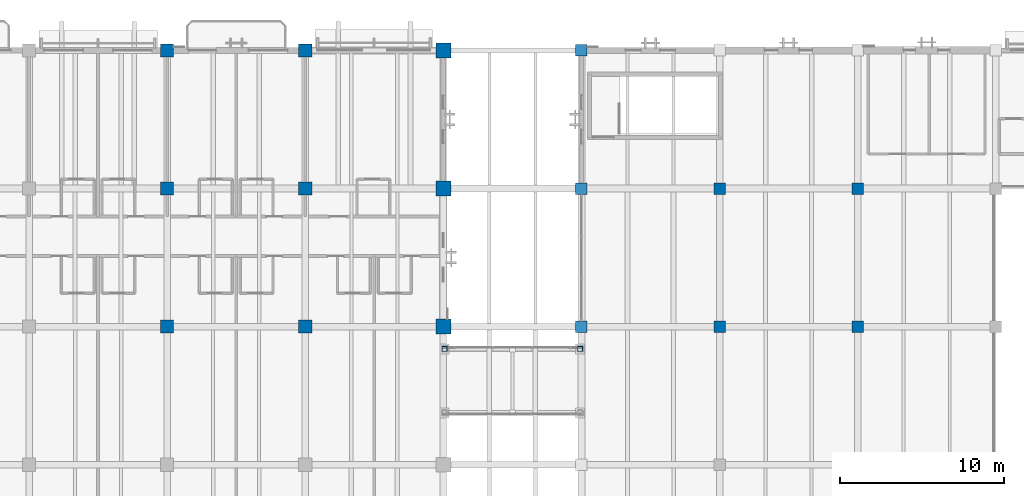
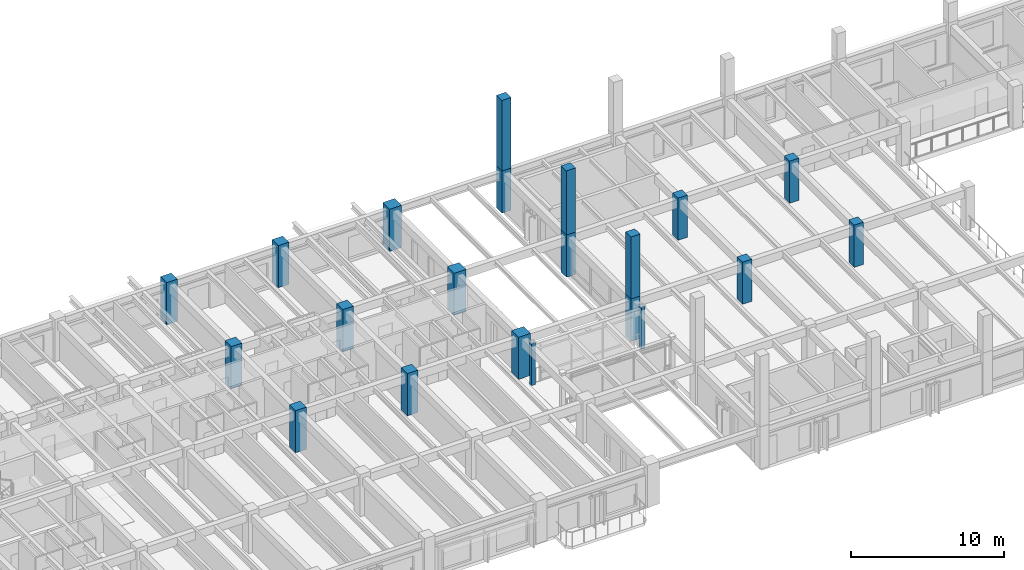
# One storey, part 5 of 123: 21 columns.
"""IFC4 building model written with IfcOpenShell, lengths in metres."""

from ifc_helpers import new_model, si_unit, direction, frame, origin, origin_2d, place, context, subcontext, project, spatial, rectangle, hollow_rectangle, extrude, material, material_profile, profile_set, type_object, element, save


model = new_model("IFC4")

# Units and contexts
model_context = context("Model", 3, precision=1e-05, world=origin(), true_north=direction((0.0, 1.0)))
body_context = subcontext(model_context, "Body", "Model", "MODEL_VIEW")
ifc_project = project(units=[si_unit("LENGTHUNIT", "METRE"), si_unit("AREAUNIT", "SQUARE_METRE"), si_unit("VOLUMEUNIT", "CUBIC_METRE"), si_unit("PLANEANGLEUNIT", "RADIAN"), si_unit("MASSUNIT", "GRAM", prefix="KILO")], contexts=[model_context])

# Site, building, storey
site_placement = place(None, origin())
site = spatial("IfcSite", under=ifc_project, at=site_placement, CompositionType="ELEMENT")
building_placement = place(site_placement, origin())
building = spatial("IfcBuilding", under=site, at=building_placement, Name="Cumbredor Promenade Congress Hotel", CompositionType="ELEMENT")
storey_placement = place(building_placement, frame((0.0, 0.0, 11.760009765625)))
storey = spatial("IfcBuildingStorey", under=building, at=storey_placement, Name="L03", CompositionType="ELEMENT", Elevation=11.760009765625)

# Columns
ifc_material_1 = material(Name="Concrete C40/50", Category="concrete")
ifc_material_profile_1 = material_profile(ifc_material_1, rectangle(XDim=0.699951171875, YDim=0.699951171875, at=origin_2d()), Name="RC 700x700")
ifc_profile_set_1 = profile_set([ifc_material_profile_1], Name="Concrete C40/50")
column_type_1 = type_object("IfcColumnType", Name="COL-RC-700", PredefinedType="COLUMN", material=ifc_profile_set_1)
for number, where, z_axis, x_axis, name in (
    (1, (92.39990234375, 100.800048828125, 0.0), (0.0, 0.0, 1.0), (1.0, 0.0, 0.0), "L03 Structural Column 106"),
    (2, (92.39990234375, 109.199951171875, 0.0), (0.0, 0.0, 1.0), (1.0, 0.0, 0.0), "L03 Structural Column 107"),
    (3, (92.39990234375, 117.60009765625, 0.0), (0.0, 0.0, 1.0), (1.0, 0.0, 0.0), "L03 Structural Column 108"),
    (4, (100.800048828125, 100.800048828125, 0.0), (0.0, 0.0, 1.0), (1.0, 0.0, 0.0), "L03 Structural Column 111"),
    (5, (100.800048828125, 109.199951171875, 0.0), (0.0, 0.0, 1.0), (1.0, 0.0, 0.0), "L03 Structural Column 112"),
    (6, (109.199951171875, 100.800048828125, 0.0), (0.0, 0.0, 1.0), (1.0, 0.0, 0.0), "L03 Structural Column 116"),
    (7, (109.199951171875, 109.199951171875, 0.0), (0.0, 0.0, 1.0), (1.0, 0.0, 0.0), "L03 Structural Column 117"),
):
    element("IfcColumn", number, at=place(storey_placement, frame(where, z_axis=z_axis, x_axis=x_axis)), inside=storey, type_object=column_type_1, Name=name, PredefinedType="COLUMN", context=body_context, shape_type="SweptSolid", body=[
        extrude(rectangle(XDim=0.699951171875, YDim=0.699951171875, at=origin_2d()), origin(), (0.0, 0.0, 1.0), 3.360107421875),
    ])
column_1_placement = place(storey_placement, frame((92.39990234375, 100.800048828125, 3.360107421875), z_axis=(0.0, 0.0, 1.0), x_axis=(1.0, 0.0, 0.0)))
element("IfcColumn", 8, at=column_1_placement, inside=storey, type_object=column_type_1, Name="Pre-Function and Breakout Meeting Forum Clerestory Column Extension 03", PredefinedType="COLUMN", context=body_context, shape_type="SweptSolid", body=[
    extrude(rectangle(XDim=0.699951171875, YDim=0.699951171875, at=origin_2d()), origin(), (0.0, 0.0, 1.0), 4.928955078125),
])
column_2_placement = place(storey_placement, frame((92.39990234375, 109.199951171875, 3.360107421875), z_axis=(0.0, 0.0, 1.0), x_axis=(1.0, 0.0, 0.0)))
element("IfcColumn", 9, at=column_2_placement, inside=storey, type_object=column_type_1, Name="Pre-Function and Breakout Meeting Forum Clerestory Column Extension 04", PredefinedType="COLUMN", context=body_context, shape_type="SweptSolid", body=[
    extrude(rectangle(XDim=0.699951171875, YDim=0.699951171875, at=origin_2d()), origin(), (0.0, 0.0, 1.0), 5.09912109375),
])
column_3_placement = place(storey_placement, frame((92.39990234375, 117.60009765625, 3.360107421875), z_axis=(0.0, 0.0, 1.0), x_axis=(1.0, 0.0, 0.0)))
element("IfcColumn", 10, at=column_3_placement, inside=storey, type_object=column_type_1, Name="Pre-Function and Breakout Meeting Forum Clerestory Column Extension 05", PredefinedType="COLUMN", context=body_context, shape_type="SweptSolid", body=[
    extrude(rectangle(XDim=0.699951171875, YDim=0.699951171875, at=origin_2d()), origin(), (0.0, 0.0, 1.0), 5.609375),
])
ifc_material_2 = material(Name="Concrete C50/60", Category="concrete")
ifc_material_profile_2 = material_profile(ifc_material_2, rectangle(XDim=0.800048828125, YDim=0.800048828125, at=origin_2d()), Name="RC 800x800")
ifc_profile_set_2 = profile_set([ifc_material_profile_2], Name="Concrete C50/60")
column_type_2 = type_object("IfcColumnType", Name="COL-RC-800", PredefinedType="COLUMN", material=ifc_profile_set_2)
for number, where, z_axis, x_axis, name in (
    (11, (67.199951171875, 100.800048828125, 0.0), (0.0, 0.0, 1.0), (1.0, 0.0, 0.0), "L03 Structural Column 091"),
    (12, (67.199951171875, 109.199951171875, 0.0), (0.0, 0.0, 1.0), (1.0, 0.0, 0.0), "L03 Structural Column 092"),
    (13, (67.199951171875, 117.60009765625, 0.0), (0.0, 0.0, 1.0), (1.0, 0.0, 0.0), "L03 Structural Column 093"),
    (14, (75.60009765625, 100.800048828125, 0.0), (0.0, 0.0, 1.0), (1.0, 0.0, 0.0), "L03 Structural Column 096"),
    (15, (75.60009765625, 109.199951171875, 0.0), (0.0, 0.0, 1.0), (1.0, 0.0, 0.0), "L03 Structural Column 097"),
    (16, (75.60009765625, 117.60009765625, 0.0), (0.0, 0.0, 1.0), (1.0, 0.0, 0.0), "L03 Structural Column 098"),
):
    element("IfcColumn", number, at=place(storey_placement, frame(where, z_axis=z_axis, x_axis=x_axis)), inside=storey, type_object=column_type_2, Name=name, PredefinedType="COLUMN", context=body_context, shape_type="SweptSolid", body=[
        extrude(rectangle(XDim=0.800048828125, YDim=0.800048828125, at=origin_2d()), origin(), (0.0, 0.0, 1.0), 3.360107421875),
    ])
ifc_material_profile_3 = material_profile(ifc_material_2, rectangle(XDim=0.89990234375, YDim=0.89990234375, at=origin_2d()), Name="RC 900x900")
ifc_profile_set_3 = profile_set([ifc_material_profile_3], Name="Concrete C50/60")
column_type_3 = type_object("IfcColumnType", Name="COL-RC-900", PredefinedType="COLUMN", material=ifc_profile_set_3)
for number, where, z_axis, x_axis, name in (
    (17, (84.0, 100.800048828125, 0.0), (0.0, 0.0, 1.0), (1.0, 0.0, 0.0), "L03 Structural Column 101"),
    (18, (84.0, 109.199951171875, 0.0), (0.0, 0.0, 1.0), (1.0, 0.0, 0.0), "L03 Structural Column 102"),
    (19, (84.0, 117.60009765625, 0.0), (0.0, 0.0, 1.0), (1.0, 0.0, 0.0), "L03 Structural Column 103"),
):
    element("IfcColumn", number, at=place(storey_placement, frame(where, z_axis=z_axis, x_axis=x_axis)), inside=storey, type_object=column_type_3, Name=name, PredefinedType="COLUMN", context=body_context, shape_type="SweptSolid", body=[
        extrude(rectangle(XDim=0.89990234375, YDim=0.89990234375, at=origin_2d()), origin(), (0.0, 0.0, 1.0), 3.360107421875),
    ])
ifc_material_3 = material(Name="Steel ASTM A500 Grade C", Category="steel")
ifc_material_profile_4 = material_profile(ifc_material_3, hollow_rectangle(XDim=0.300048828125, YDim=0.300048828125, WallThickness=0.01611328125, at=origin_2d()), Name="HSS 300x300x16")
ifc_profile_set_4 = profile_set([ifc_material_profile_4], Name="Steel ASTM A500 Grade C")
column_type_4 = type_object("IfcColumnType", Name="COL-STL-HSS300", PredefinedType="COLUMN", material=ifc_profile_set_4)
for number, where, z_axis, x_axis, name in (
    (20, (84.080078125, 99.449951171875, 0.0), (0.0, 0.0, 1.0), (1.0, 0.0, 0.0), "L03 North Hotel-to-Forum Glazed Bridge Support Column 2"),
    (21, (92.320068359375, 99.449951171875, 0.0), (0.0, 0.0, 1.0), (1.0, 0.0, 0.0), "L03 North Hotel-to-Forum Glazed Bridge Support Column 4"),
):
    element("IfcColumn", number, at=place(storey_placement, frame(where, z_axis=z_axis, x_axis=x_axis)), inside=storey, type_object=column_type_4, Name=name, PredefinedType="COLUMN", context=body_context, shape_type="SweptSolid", body=[
        extrude(hollow_rectangle(XDim=0.300048828125, YDim=0.300048828125, WallThickness=0.01611328125, at=origin_2d()), origin(), (0.0, 0.0, 1.0), 3.360107421875),
    ])

save(model, "model.ifc")
